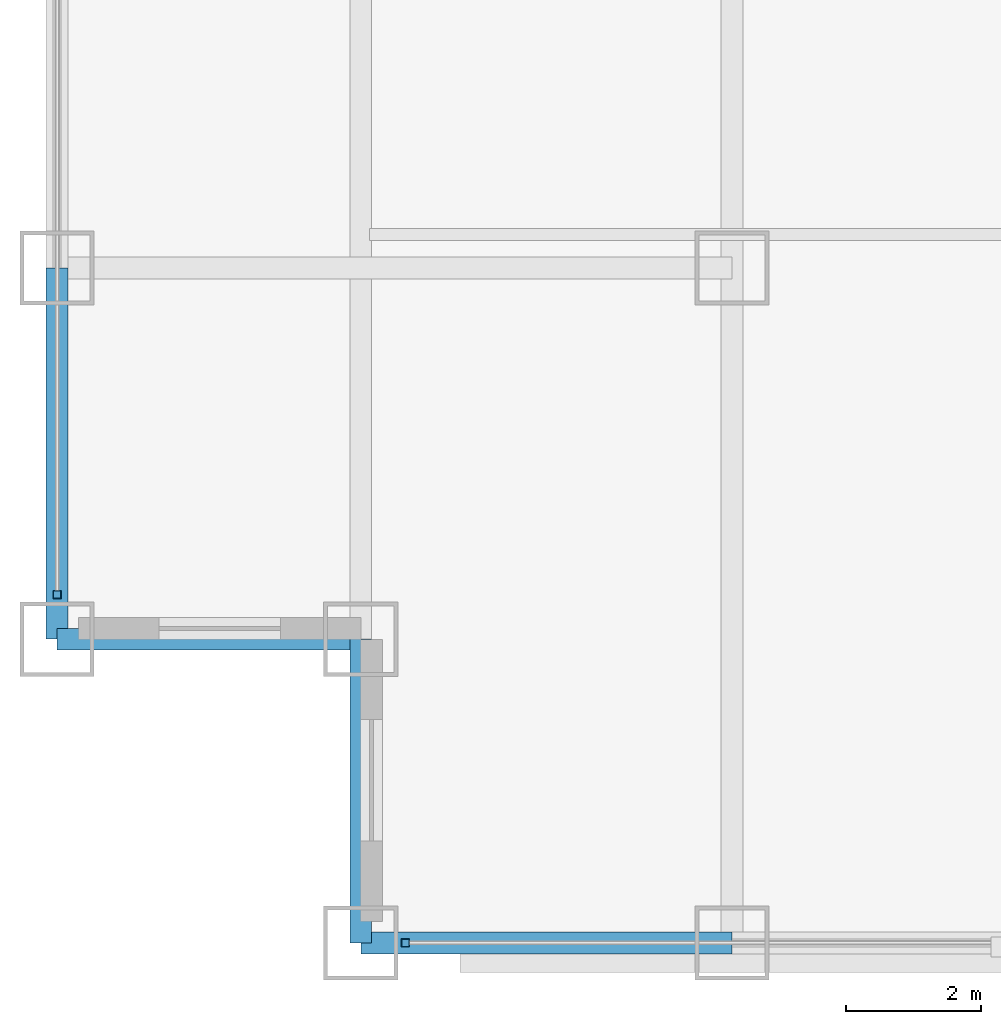
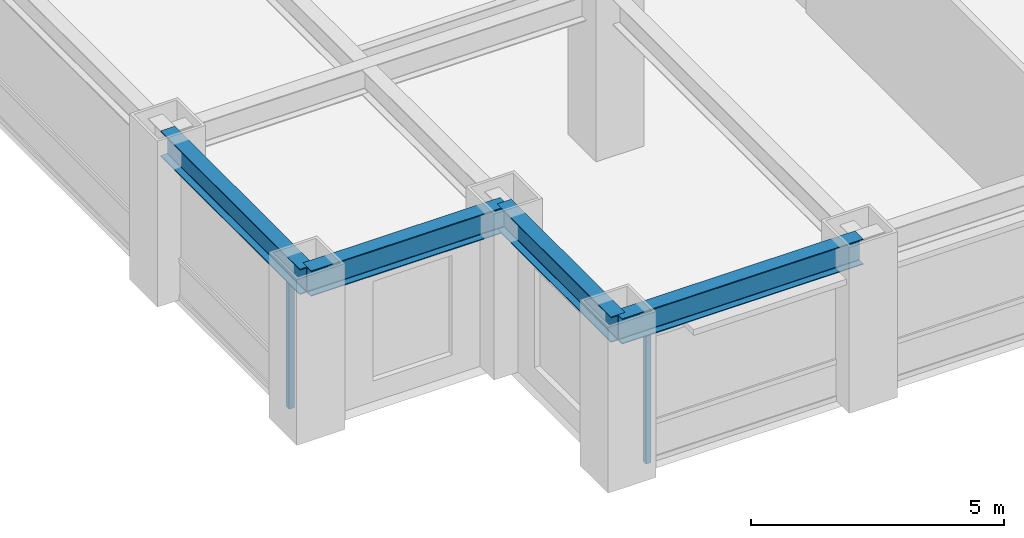
# One storey, part 2 of 28: 4 beams, 2 members, 2 elements without a shape of their own.
"""IFC4 building model written with IfcOpenShell, lengths in metres."""

from ifc_helpers import new_model, si_unit, direction, frame, origin, origin_2d, place, context, subcontext, project, spatial, hollow_rectangle, i_section, extrude, source, transform, mapped, material, material_profile, profile_set, type_object, element, aggregate, save


model = new_model("IFC4")

# Units and contexts
model_context = context("Model", 3, precision=1e-05, world=origin(), true_north=direction((0.0, 1.0)))
body_context = subcontext(model_context, "Body", "Model", "MODEL_VIEW")
ifc_project = project(units=[si_unit("LENGTHUNIT", "METRE"), si_unit("AREAUNIT", "SQUARE_METRE"), si_unit("VOLUMEUNIT", "CUBIC_METRE"), si_unit("PLANEANGLEUNIT", "RADIAN"), si_unit("MASSUNIT", "GRAM", prefix="KILO")], contexts=[model_context])

# Site, building, storey
site_placement = place(None, origin())
site = spatial("IfcSite", under=ifc_project, at=site_placement, CompositionType="ELEMENT")
building_placement = place(site_placement, origin())
building = spatial("IfcBuilding", under=site, at=building_placement, Name="Khorayat Bourse Tower", CompositionType="ELEMENT")
storey_placement = place(building_placement, frame((0.0, 0.0, 183.10009765625)))
storey = spatial("IfcBuildingStorey", under=building, at=storey_placement, Name="L42", CompositionType="ELEMENT", Elevation=183.10009765625)

# Beams
ifc_material_1 = material(Name="Steel ASTM A992 Grade 50", Category="steel")
ifc_material_profile_1 = material_profile(ifc_material_1, i_section(OverallWidth=0.324951171875, OverallDepth=0.615966796875, WebThickness=0.013916015625, FlangeThickness=0.021484375, FilletRadius=0.01611328125, at=origin_2d()), Name="W610X174")
ifc_profile_set_1 = profile_set([ifc_material_profile_1], Name="Steel ASTM A992 Grade 50")
beam_type = type_object("IfcBeamType", Name="BM-SPAN-610", PredefinedType="SPANDREL", material=ifc_profile_set_1)
shared_shape_1 = source(origin(), body_context, "Body", "SweptSolid", [
    extrude(i_section(OverallWidth=0.324951171875, OverallDepth=0.615966796875, WebThickness=0.013916015625, FlangeThickness=0.021484375, FilletRadius=0.01611328125, at=origin_2d()), origin(), (0.0, 0.0, 1.0), 5.5),
])
for number, where, z_axis, x_axis, name in (
    (1, (-25.5, -30.0, 3.471923828125), (1.0, 0.0, 0.0), (0.0, 1.0, 0.0), "L42 BM-SPAN-610 BM-L42-SPN-024"),
    (2, (-30.0, -25.5, 3.471923828125), (0.0, 1.0, 0.0), (-1.0, 0.0, 0.0), "L42 BM-SPAN-610 BM-L42-SPN-061"),
):
    element("IfcBeam", number, at=place(storey_placement, frame(where, z_axis=z_axis, x_axis=x_axis)), inside=storey, type_object=beam_type, Name=name, PredefinedType="SPANDREL", context=body_context, shape_type="MappedRepresentation", body=[
        mapped(shared_shape_1, transform((0.0, 0.0, 0.0), scale=1.0)),
    ])
shared_shape_2 = source(origin(), body_context, "Body", "SweptSolid", [
    extrude(i_section(OverallWidth=0.324951171875, OverallDepth=0.615966796875, WebThickness=0.013916015625, FlangeThickness=0.021484375, FilletRadius=0.01611328125, at=origin_2d()), origin(), (0.0, 0.0, 1.0), 4.5),
])
for number, where, z_axis, x_axis, name in (
    (3, (-30.0, -25.5, 3.471923828125), (1.0, 0.0, 0.0), (0.0, 1.0, 0.0), "L42 BM-SPAN-610 BM-L42-SPN-062"),
    (4, (-25.5, -30.0, 3.471923828125), (0.0, 1.0, 0.0), (-1.0, 0.0, 0.0), "L42 BM-SPAN-610 BM-L42-SPN-063"),
):
    element("IfcBeam", number, at=place(storey_placement, frame(where, z_axis=z_axis, x_axis=x_axis)), inside=storey, type_object=beam_type, Name=name, PredefinedType="SPANDREL", context=body_context, shape_type="MappedRepresentation", body=[
        mapped(shared_shape_2, transform((0.0, 0.0, 0.0), scale=1.0)),
    ])

# Curtain wall, member
ifc_material_2 = material(Name="Aluminium EN AW-6063 T6", Category="aluminium")
curtain_wall_type = type_object("IfcCurtainWallType", Name="CW-SYS-03", PredefinedType="NOTDEFINED", material=ifc_material_2)
curtain_wall_1_placement = place(storey_placement, origin())
curtain_wall_1 = element("IfcCurtainWall", 5, at=curtain_wall_1_placement, inside=storey, type_object=curtain_wall_type, Name="L42 Curtain Wall CW-L42-S1", PredefinedType="NOTDEFINED")
ifc_material_profile_2 = material_profile(ifc_material_2, hollow_rectangle(XDim=0.1201171875, YDim=0.1201171875, WallThickness=0.0048828125, at=origin_2d()), Name="ALU 120x120x5")
ifc_profile_set_2 = profile_set([ifc_material_profile_2], Name="Aluminium EN AW-6063 T6")
member_type = type_object("IfcMemberType", Name="CWM-VERT-120", PredefinedType="MULLION", material=ifc_profile_set_2)
shared_shape_3 = source(origin(), body_context, "Body", "SweptSolid", [
    extrude(hollow_rectangle(XDim=0.1201171875, YDim=0.1201171875, WallThickness=0.0048828125, at=origin_2d()), origin(), (0.0, 0.0, 1.0), 3.1298828125),
])
member_1_placement = place(storey_placement, frame((-24.840087890625, -30.0, 0.0), z_axis=(0.0, 0.0, 1.0), x_axis=(0.0, 1.0, 0.0)))
member_1 = element("IfcMember", 6, at=member_1_placement, type_object=member_type, Name="CW-L42-S1 Vertical Mullion 1", PredefinedType="MULLION", context=body_context, shape_type="MappedRepresentation", body=[
    mapped(shared_shape_3, transform((0.0, 0.0, 0.0), scale=1.0)),
])
aggregate(curtain_wall_1, [member_1])

curtain_wall_2_placement = place(storey_placement, origin())
curtain_wall_2 = element("IfcCurtainWall", 7, at=curtain_wall_2_placement, inside=storey, type_object=curtain_wall_type, Name="L42 Curtain Wall CW-L42-W1", PredefinedType="NOTDEFINED")
member_2_placement = place(storey_placement, frame((-30.0, -24.840087890625, 0.0), z_axis=(0.0, 0.0, 1.0), x_axis=(-1.0, 0.0, 0.0)))
member_2 = element("IfcMember", 8, at=member_2_placement, type_object=member_type, Name="CW-L42-W1 Vertical Mullion 1", PredefinedType="MULLION", context=body_context, shape_type="MappedRepresentation", body=[
    mapped(shared_shape_3, transform((0.0, 0.0, 0.0), scale=1.0)),
])
aggregate(curtain_wall_2, [member_2])

save(model, "model.ifc")
